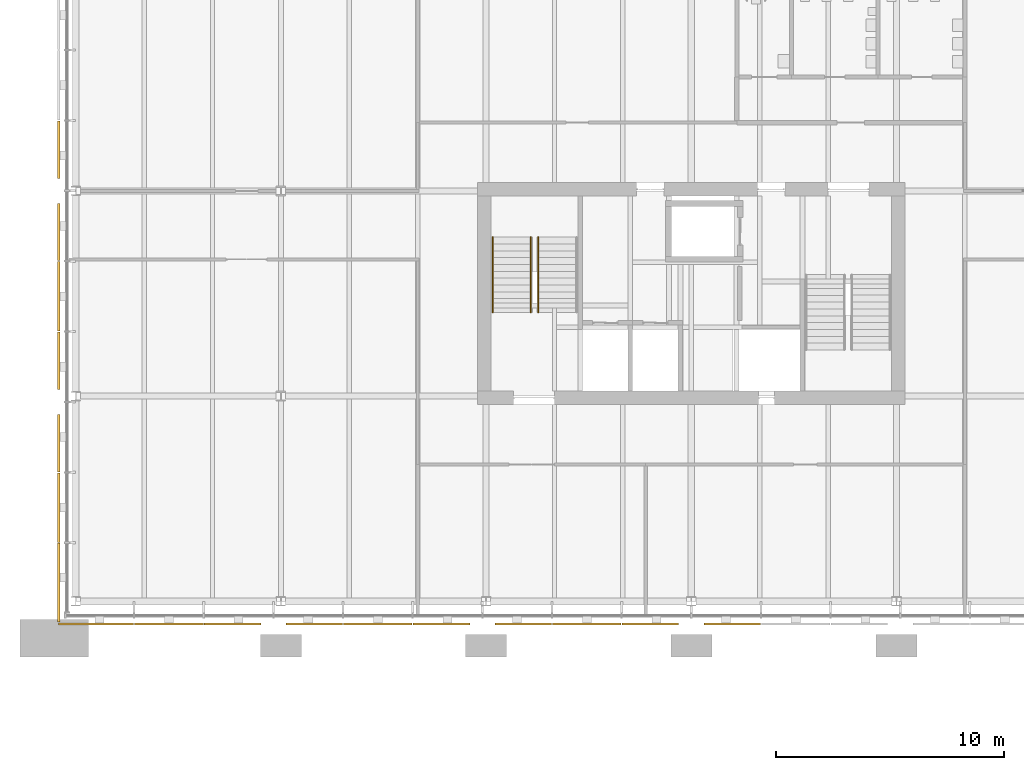
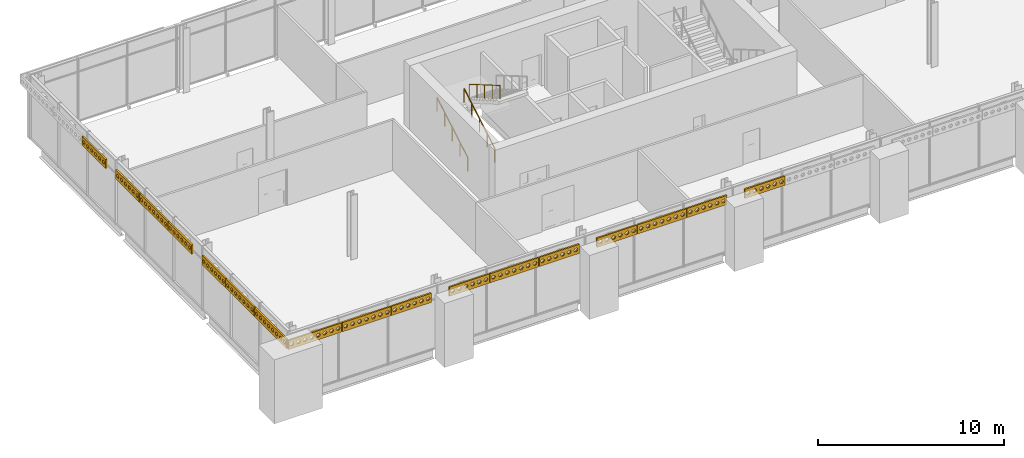
# One storey, part 102 of 123: 17 shading devices, 3 railings.
"""IFC4 building model written with IfcOpenShell, lengths in metres."""

from ifc_helpers import new_model, si_unit, direction, frame, origin, origin_2d, place, context, subcontext, project, spatial, polyline, circle, outline, extrude, material, layer, layer_set, type_object, element, save


model = new_model("IFC4")

# Units and contexts
model_context = context("Model", 3, precision=1e-05, world=origin(), true_north=direction((0.0, 1.0)))
body_context = subcontext(model_context, "Body", "Model", "MODEL_VIEW")
ifc_project = project(units=[si_unit("LENGTHUNIT", "METRE"), si_unit("AREAUNIT", "SQUARE_METRE"), si_unit("VOLUMEUNIT", "CUBIC_METRE"), si_unit("PLANEANGLEUNIT", "RADIAN"), si_unit("MASSUNIT", "GRAM", prefix="KILO")], contexts=[model_context])

# Site, building, storey
site_placement = place(None, origin())
site = spatial("IfcSite", under=ifc_project, at=site_placement, CompositionType="ELEMENT")
building_placement = place(site_placement, origin())
building = spatial("IfcBuilding", under=site, at=building_placement, Name="Baradari Gate Terminus", CompositionType="ELEMENT")
storey_placement = place(building_placement, frame((0.0, 0.0, 7.5)))
storey = spatial("IfcBuildingStorey", under=building, at=storey_placement, Name="L01", CompositionType="ELEMENT", Elevation=7.5)

# Railings
ifc_material_1 = material(Name="Stainless steel 1.4301", Category="steel")
railing_type = type_object("IfcRailingType", Name="Handrail HR-1 900", PredefinedType="HANDRAIL", material=ifc_material_1)
for number, where, name in (
    (1, (27.284912109375, 129.675048828125, 0.175048828125), "Handrail ST-T1 L01 flight 1"),
    (2, (28.965087890625, 129.675048828125, 0.175048828125), "Handrail ST-T1 L01 flight 1"),
):
    element("IfcRailing", number, at=place(storey_placement, frame(where)), inside=storey, type_object=railing_type, Name=name, PredefinedType="HANDRAIL", context=body_context, shape_type="SweptSolid", body=[
        extrude(circle(Radius=0.02392578125, at=origin_2d()), frame((0.0, 0.0, 0.8759765625), z_axis=(0.0, 0.863776583165, 0.503874998761), x_axis=(-1.0, 0.0, 0.0)), (0.0, 0.0, 1.0), 3.820556640625),
        extrude(circle(Radius=0.02099609375, at=origin_2d()), origin(), (0.0, 0.0, 1.0), 0.851806640625),
        extrude(circle(Radius=0.02099609375, at=origin_2d()), frame((0.0, 0.824951171875, 0.481201171875)), (0.0, 0.0, 1.0), 0.851806640625),
        extrude(circle(Radius=0.02099609375, at=origin_2d()), frame((0.0, 1.64990234375, 0.96240234375)), (0.0, 0.0, 1.0), 0.851806640625),
        extrude(circle(Radius=0.02099609375, at=origin_2d()), frame((0.0, 2.47509765625, 1.44384765625)), (0.0, 0.0, 1.0), 0.851806640625),
        extrude(circle(Radius=0.02099609375, at=origin_2d()), frame((0.0, 3.300048828125, 1.925048828125)), (0.0, 0.0, 1.0), 0.851806640625),
    ])
railing_placement = place(storey_placement, frame((29.284912109375, 132.97509765625, 2.27490234375)))
element("IfcRailing", 3, at=railing_placement, inside=storey, type_object=railing_type, Name="Handrail ST-T1 L01 flight 2", PredefinedType="HANDRAIL", context=body_context, shape_type="SweptSolid", body=[
    extrude(circle(Radius=0.02392578125, at=origin_2d()), frame((0.0, 0.0, 0.8759765625), z_axis=(0.0, -0.863776583165, 0.503874998761), x_axis=(1.0, 0.0, 0.0)), (0.0, 0.0, 1.0), 3.820556640625),
    extrude(circle(Radius=0.02099609375, at=origin_2d()), origin(), (0.0, 0.0, 1.0), 0.851806640625),
    extrude(circle(Radius=0.02099609375, at=origin_2d()), frame((0.0, -0.824951171875, 0.481201171875)), (0.0, 0.0, 1.0), 0.851806640625),
    extrude(circle(Radius=0.02099609375, at=origin_2d()), frame((0.0, -1.64990234375, 0.96240234375)), (0.0, 0.0, 1.0), 0.851806640625),
    extrude(circle(Radius=0.02099609375, at=origin_2d()), frame((0.0, -2.47509765625, 1.44384765625)), (0.0, 0.0, 1.0), 0.851806640625),
    extrude(circle(Radius=0.02099609375, at=origin_2d()), frame((0.0, -3.300048828125, 1.925048828125)), (0.0, 0.0, 1.0), 0.851806640625),
])

# Shading devices
ifc_material_2 = material(Name="Concrete C50/60 precast", Category="concrete")
ifc_layer = layer(ifc_material_2, 0.10009765625)
ifc_layer_set = layer_set([ifc_layer], Name="Concrete C50/60 precast")
shading_device_type = type_object("IfcShadingDeviceType", Name="Jali screen panel JS-1 100", PredefinedType="SHUTTER", material=ifc_layer_set)
shading_device_1_placement = place(storey_placement, frame((8.239990234375, 116.0048828125, 3.4326171875), z_axis=(0.0, 0.0, 1.0), x_axis=(1.0, 0.0, 0.0)))
element("IfcShadingDevice", 4, at=shading_device_1_placement, inside=storey, type_object=shading_device_type, Name="Jali screen panel JS-1 L01/TS bay 1", PredefinedType="SHUTTER", context=body_context, shape_type="SweptSolid", body=[
    extrude(outline(polyline([(0.0, 0.0), (3.300048828125, 0.0), (3.300048828125, 0.599853515625), (0.0, 0.599853515625), (0.0, 0.0)]), holes=[polyline([(0.336181640625, 0.2998046875), (0.271240234375, 0.187255859375), (0.141357421875, 0.187255859375), (0.076171875, 0.2998046875), (0.141357421875, 0.412353515625), (0.271240234375, 0.412353515625), (0.336181640625, 0.2998046875)]), polyline([(0.748779296875, 0.2998046875), (0.683837890625, 0.187255859375), (0.5537109375, 0.187255859375), (0.48876953125, 0.2998046875), (0.5537109375, 0.412353515625), (0.683837890625, 0.412353515625), (0.748779296875, 0.2998046875)]), polyline([(1.1611328125, 0.2998046875), (1.09619140625, 0.187255859375), (0.96630859375, 0.187255859375), (0.9013671875, 0.2998046875), (0.96630859375, 0.412353515625), (1.09619140625, 0.412353515625), (1.1611328125, 0.2998046875)]), polyline([(1.57373046875, 0.2998046875), (1.5087890625, 0.187255859375), (1.378662109375, 0.187255859375), (1.313720703125, 0.2998046875), (1.378662109375, 0.412353515625), (1.5087890625, 0.412353515625), (1.57373046875, 0.2998046875)]), polyline([(1.986328125, 0.2998046875), (1.921142578125, 0.187255859375), (1.791259765625, 0.187255859375), (1.726318359375, 0.2998046875), (1.791259765625, 0.412353515625), (1.921142578125, 0.412353515625), (1.986328125, 0.2998046875)]), polyline([(2.398681640625, 0.2998046875), (2.333740234375, 0.187255859375), (2.203857421875, 0.187255859375), (2.138671875, 0.2998046875), (2.203857421875, 0.412353515625), (2.333740234375, 0.412353515625), (2.398681640625, 0.2998046875)]), polyline([(2.811279296875, 0.2998046875), (2.746337890625, 0.187255859375), (2.6162109375, 0.187255859375), (2.55126953125, 0.2998046875), (2.6162109375, 0.412353515625), (2.746337890625, 0.412353515625), (2.811279296875, 0.2998046875)]), polyline([(3.2236328125, 0.2998046875), (3.15869140625, 0.187255859375), (3.02880859375, 0.187255859375), (2.9638671875, 0.2998046875), (3.02880859375, 0.412353515625), (3.15869140625, 0.412353515625), (3.2236328125, 0.2998046875)])]), frame((0.0, 0.050048828125, 0.0), z_axis=(0.0, -1.0, 0.0), x_axis=(1.0, 0.0, 0.0)), (0.0, 0.0, 1.0), 0.10009765625),
])
shading_device_2_placement = place(storey_placement, frame((11.580078125, 116.0048828125, 3.4326171875), z_axis=(0.0, 0.0, 1.0), x_axis=(1.0, 0.0, 0.0)))
element("IfcShadingDevice", 5, at=shading_device_2_placement, inside=storey, type_object=shading_device_type, Name="Jali screen panel JS-1 L01/TS bay 2", PredefinedType="SHUTTER", context=body_context, shape_type="SweptSolid", body=[
    extrude(outline(polyline([(0.0, 0.0), (3.014892578125, 0.0), (3.014892578125, 0.599853515625), (0.0, 0.599853515625), (0.0, 0.0)]), holes=[polyline([(0.345458984375, 0.2998046875), (0.2802734375, 0.187255859375), (0.150390625, 0.187255859375), (0.08544921875, 0.2998046875), (0.150390625, 0.412353515625), (0.2802734375, 0.412353515625), (0.345458984375, 0.2998046875)]), polyline([(0.776123046875, 0.2998046875), (0.711181640625, 0.187255859375), (0.5810546875, 0.187255859375), (0.51611328125, 0.2998046875), (0.5810546875, 0.412353515625), (0.711181640625, 0.412353515625), (0.776123046875, 0.2998046875)]), polyline([(1.206787109375, 0.2998046875), (1.141845703125, 0.187255859375), (1.01171875, 0.187255859375), (0.94677734375, 0.2998046875), (1.01171875, 0.412353515625), (1.141845703125, 0.412353515625), (1.206787109375, 0.2998046875)]), polyline([(1.637451171875, 0.2998046875), (1.572509765625, 0.187255859375), (1.4423828125, 0.187255859375), (1.37744140625, 0.2998046875), (1.4423828125, 0.412353515625), (1.572509765625, 0.412353515625), (1.637451171875, 0.2998046875)]), polyline([(2.068115234375, 0.2998046875), (2.003173828125, 0.187255859375), (1.873291015625, 0.187255859375), (1.80810546875, 0.2998046875), (1.873291015625, 0.412353515625), (2.003173828125, 0.412353515625), (2.068115234375, 0.2998046875)]), polyline([(2.4990234375, 0.2998046875), (2.433837890625, 0.187255859375), (2.303955078125, 0.187255859375), (2.239013671875, 0.2998046875), (2.303955078125, 0.412353515625), (2.433837890625, 0.412353515625), (2.4990234375, 0.2998046875)]), polyline([(2.9296875, 0.2998046875), (2.86474609375, 0.187255859375), (2.734619140625, 0.187255859375), (2.669677734375, 0.2998046875), (2.734619140625, 0.412353515625), (2.86474609375, 0.412353515625), (2.9296875, 0.2998046875)])]), frame((0.0, 0.050048828125, 0.0), z_axis=(0.0, -1.0, 0.0), x_axis=(1.0, 0.0, 0.0)), (0.0, 0.0, 1.0), 0.10009765625),
])
for number, where, z_axis, x_axis, name in (
    (6, (14.635009765625, 116.0048828125, 3.4326171875), (0.0, 0.0, 1.0), (1.0, 0.0, 0.0), "Jali screen panel JS-1 L01/TS bay 3"),
    (7, (18.219970703125, 116.0048828125, 3.4326171875), (0.0, 0.0, 1.0), (1.0, 0.0, 0.0), "Jali screen panel JS-1 L01/TS bay 4"),
):
    element("IfcShadingDevice", number, at=place(storey_placement, frame(where, z_axis=z_axis, x_axis=x_axis)), inside=storey, type_object=shading_device_type, Name=name, PredefinedType="SHUTTER", context=body_context, shape_type="SweptSolid", body=[
        extrude(outline(polyline([(0.0, 0.0), (2.485107421875, 0.0), (2.485107421875, 0.599853515625), (0.0, 0.599853515625), (0.0, 0.0)]), holes=[polyline([(0.337158203125, 0.2998046875), (0.27197265625, 0.187255859375), (0.14208984375, 0.187255859375), (0.0771484375, 0.2998046875), (0.14208984375, 0.412353515625), (0.27197265625, 0.412353515625), (0.337158203125, 0.2998046875)]), polyline([(0.751220703125, 0.2998046875), (0.686279296875, 0.187255859375), (0.55615234375, 0.187255859375), (0.4912109375, 0.2998046875), (0.55615234375, 0.412353515625), (0.686279296875, 0.412353515625), (0.751220703125, 0.2998046875)]), polyline([(1.16552734375, 0.2998046875), (1.100341796875, 0.187255859375), (0.970458984375, 0.187255859375), (0.905517578125, 0.2998046875), (0.970458984375, 0.412353515625), (1.100341796875, 0.412353515625), (1.16552734375, 0.2998046875)]), polyline([(1.57958984375, 0.2998046875), (1.5146484375, 0.187255859375), (1.384521484375, 0.187255859375), (1.319580078125, 0.2998046875), (1.384521484375, 0.412353515625), (1.5146484375, 0.412353515625), (1.57958984375, 0.2998046875)]), polyline([(1.99365234375, 0.2998046875), (1.9287109375, 0.187255859375), (1.798828125, 0.187255859375), (1.733642578125, 0.2998046875), (1.798828125, 0.412353515625), (1.9287109375, 0.412353515625), (1.99365234375, 0.2998046875)]), polyline([(2.407958984375, 0.2998046875), (2.343017578125, 0.187255859375), (2.212890625, 0.187255859375), (2.14794921875, 0.2998046875), (2.212890625, 0.412353515625), (2.343017578125, 0.412353515625), (2.407958984375, 0.2998046875)])]), frame((0.0, 0.050048828125, 0.0), z_axis=(0.0, -1.0, 0.0), x_axis=(1.0, 0.0, 0.0)), (0.0, 0.0, 1.0), 0.10009765625),
    ])
shading_device_3_placement = place(storey_placement, frame((20.7451171875, 116.0048828125, 3.4326171875), z_axis=(0.0, 0.0, 1.0), x_axis=(1.0, 0.0, 0.0)))
element("IfcShadingDevice", 8, at=shading_device_3_placement, inside=storey, type_object=shading_device_type, Name="Jali screen panel JS-1 L01/TS bay 5", PredefinedType="SHUTTER", context=body_context, shape_type="SweptSolid", body=[
    extrude(outline(polyline([(0.0, 0.0), (3.014892578125, 0.0), (3.014892578125, 0.599853515625), (0.0, 0.599853515625), (0.0, 0.0)]), holes=[polyline([(0.345458984375, 0.2998046875), (0.2802734375, 0.187255859375), (0.150390625, 0.187255859375), (0.08544921875, 0.2998046875), (0.150390625, 0.412353515625), (0.2802734375, 0.412353515625), (0.345458984375, 0.2998046875)]), polyline([(0.776123046875, 0.2998046875), (0.711181640625, 0.187255859375), (0.5810546875, 0.187255859375), (0.51611328125, 0.2998046875), (0.5810546875, 0.412353515625), (0.711181640625, 0.412353515625), (0.776123046875, 0.2998046875)]), polyline([(1.206787109375, 0.2998046875), (1.141845703125, 0.187255859375), (1.01171875, 0.187255859375), (0.94677734375, 0.2998046875), (1.01171875, 0.412353515625), (1.141845703125, 0.412353515625), (1.206787109375, 0.2998046875)]), polyline([(1.637451171875, 0.2998046875), (1.572509765625, 0.187255859375), (1.4423828125, 0.187255859375), (1.37744140625, 0.2998046875), (1.4423828125, 0.412353515625), (1.572509765625, 0.412353515625), (1.637451171875, 0.2998046875)]), polyline([(2.068115234375, 0.2998046875), (2.003173828125, 0.187255859375), (1.873291015625, 0.187255859375), (1.80810546875, 0.2998046875), (1.873291015625, 0.412353515625), (2.003173828125, 0.412353515625), (2.068115234375, 0.2998046875)]), polyline([(2.4990234375, 0.2998046875), (2.433837890625, 0.187255859375), (2.303955078125, 0.187255859375), (2.239013671875, 0.2998046875), (2.303955078125, 0.412353515625), (2.433837890625, 0.412353515625), (2.4990234375, 0.2998046875)]), polyline([(2.9296875, 0.2998046875), (2.86474609375, 0.187255859375), (2.734619140625, 0.187255859375), (2.669677734375, 0.2998046875), (2.734619140625, 0.412353515625), (2.86474609375, 0.412353515625), (2.9296875, 0.2998046875)])]), frame((0.0, 0.050048828125, 0.0), z_axis=(0.0, -1.0, 0.0), x_axis=(1.0, 0.0, 0.0)), (0.0, 0.0, 1.0), 0.10009765625),
])
shading_device_4_placement = place(storey_placement, frame((23.800048828125, 116.0048828125, 3.4326171875), z_axis=(0.0, 0.0, 1.0), x_axis=(1.0, 0.0, 0.0)))
element("IfcShadingDevice", 9, at=shading_device_4_placement, inside=storey, type_object=shading_device_type, Name="Jali screen panel JS-1 L01/TS bay 6", PredefinedType="SHUTTER", context=body_context, shape_type="SweptSolid", body=[
    extrude(outline(polyline([(0.0, 0.0), (2.48486328125, 0.0), (2.48486328125, 0.599853515625), (0.0, 0.599853515625), (0.0, 0.0)]), holes=[polyline([(0.337158203125, 0.2998046875), (0.27197265625, 0.187255859375), (0.14208984375, 0.187255859375), (0.0771484375, 0.2998046875), (0.14208984375, 0.412353515625), (0.27197265625, 0.412353515625), (0.337158203125, 0.2998046875)]), polyline([(0.751220703125, 0.2998046875), (0.686279296875, 0.187255859375), (0.55615234375, 0.187255859375), (0.4912109375, 0.2998046875), (0.55615234375, 0.412353515625), (0.686279296875, 0.412353515625), (0.751220703125, 0.2998046875)]), polyline([(1.16552734375, 0.2998046875), (1.100341796875, 0.187255859375), (0.970458984375, 0.187255859375), (0.905517578125, 0.2998046875), (0.970458984375, 0.412353515625), (1.100341796875, 0.412353515625), (1.16552734375, 0.2998046875)]), polyline([(1.57958984375, 0.2998046875), (1.5146484375, 0.187255859375), (1.384521484375, 0.187255859375), (1.319580078125, 0.2998046875), (1.384521484375, 0.412353515625), (1.5146484375, 0.412353515625), (1.57958984375, 0.2998046875)]), polyline([(1.99365234375, 0.2998046875), (1.9287109375, 0.187255859375), (1.798828125, 0.187255859375), (1.733642578125, 0.2998046875), (1.798828125, 0.412353515625), (1.9287109375, 0.412353515625), (1.99365234375, 0.2998046875)]), polyline([(2.407958984375, 0.2998046875), (2.343017578125, 0.187255859375), (2.212890625, 0.187255859375), (2.14794921875, 0.2998046875), (2.212890625, 0.412353515625), (2.343017578125, 0.412353515625), (2.407958984375, 0.2998046875)])]), frame((0.0, 0.050048828125, 0.0), z_axis=(0.0, -1.0, 0.0), x_axis=(1.0, 0.0, 0.0)), (0.0, 0.0, 1.0), 0.10009765625),
])
shading_device_5_placement = place(storey_placement, frame((27.385009765625, 116.0048828125, 3.4326171875), z_axis=(0.0, 0.0, 1.0), x_axis=(1.0, 0.0, 0.0)))
element("IfcShadingDevice", 10, at=shading_device_5_placement, inside=storey, type_object=shading_device_type, Name="Jali screen panel JS-1 L01/TS bay 7", PredefinedType="SHUTTER", context=body_context, shape_type="SweptSolid", body=[
    extrude(outline(polyline([(0.0, 0.0), (2.485107421875, 0.0), (2.485107421875, 0.599853515625), (0.0, 0.599853515625), (0.0, 0.0)]), holes=[polyline([(0.337158203125, 0.2998046875), (0.27197265625, 0.187255859375), (0.14208984375, 0.187255859375), (0.0771484375, 0.2998046875), (0.14208984375, 0.412353515625), (0.27197265625, 0.412353515625), (0.337158203125, 0.2998046875)]), polyline([(0.751220703125, 0.2998046875), (0.686279296875, 0.187255859375), (0.55615234375, 0.187255859375), (0.4912109375, 0.2998046875), (0.55615234375, 0.412353515625), (0.686279296875, 0.412353515625), (0.751220703125, 0.2998046875)]), polyline([(1.16552734375, 0.2998046875), (1.100341796875, 0.187255859375), (0.970458984375, 0.187255859375), (0.905517578125, 0.2998046875), (0.970458984375, 0.412353515625), (1.100341796875, 0.412353515625), (1.16552734375, 0.2998046875)]), polyline([(1.57958984375, 0.2998046875), (1.5146484375, 0.187255859375), (1.384521484375, 0.187255859375), (1.319580078125, 0.2998046875), (1.384521484375, 0.412353515625), (1.5146484375, 0.412353515625), (1.57958984375, 0.2998046875)]), polyline([(1.99365234375, 0.2998046875), (1.9287109375, 0.187255859375), (1.798828125, 0.187255859375), (1.733642578125, 0.2998046875), (1.798828125, 0.412353515625), (1.9287109375, 0.412353515625), (1.99365234375, 0.2998046875)]), polyline([(2.407958984375, 0.2998046875), (2.343017578125, 0.187255859375), (2.212890625, 0.187255859375), (2.14794921875, 0.2998046875), (2.212890625, 0.412353515625), (2.343017578125, 0.412353515625), (2.407958984375, 0.2998046875)])]), frame((0.0, 0.050048828125, 0.0), z_axis=(0.0, -1.0, 0.0), x_axis=(1.0, 0.0, 0.0)), (0.0, 0.0, 1.0), 0.10009765625),
])
shading_device_6_placement = place(storey_placement, frame((29.909912109375, 116.0048828125, 3.4326171875), z_axis=(0.0, 0.0, 1.0), x_axis=(1.0, 0.0, 0.0)))
element("IfcShadingDevice", 11, at=shading_device_6_placement, inside=storey, type_object=shading_device_type, Name="Jali screen panel JS-1 L01/TS bay 8", PredefinedType="SHUTTER", context=body_context, shape_type="SweptSolid", body=[
    extrude(outline(polyline([(0.0, 0.0), (3.01513671875, 0.0), (3.01513671875, 0.599853515625), (0.0, 0.599853515625), (0.0, 0.0)]), holes=[polyline([(0.345458984375, 0.2998046875), (0.2802734375, 0.187255859375), (0.150390625, 0.187255859375), (0.08544921875, 0.2998046875), (0.150390625, 0.412353515625), (0.2802734375, 0.412353515625), (0.345458984375, 0.2998046875)]), polyline([(0.776123046875, 0.2998046875), (0.711181640625, 0.187255859375), (0.5810546875, 0.187255859375), (0.51611328125, 0.2998046875), (0.5810546875, 0.412353515625), (0.711181640625, 0.412353515625), (0.776123046875, 0.2998046875)]), polyline([(1.206787109375, 0.2998046875), (1.141845703125, 0.187255859375), (1.01171875, 0.187255859375), (0.94677734375, 0.2998046875), (1.01171875, 0.412353515625), (1.141845703125, 0.412353515625), (1.206787109375, 0.2998046875)]), polyline([(1.637451171875, 0.2998046875), (1.572509765625, 0.187255859375), (1.4423828125, 0.187255859375), (1.37744140625, 0.2998046875), (1.4423828125, 0.412353515625), (1.572509765625, 0.412353515625), (1.637451171875, 0.2998046875)]), polyline([(2.068115234375, 0.2998046875), (2.003173828125, 0.187255859375), (1.873291015625, 0.187255859375), (1.80810546875, 0.2998046875), (1.873291015625, 0.412353515625), (2.003173828125, 0.412353515625), (2.068115234375, 0.2998046875)]), polyline([(2.4990234375, 0.2998046875), (2.433837890625, 0.187255859375), (2.303955078125, 0.187255859375), (2.239013671875, 0.2998046875), (2.303955078125, 0.412353515625), (2.433837890625, 0.412353515625), (2.4990234375, 0.2998046875)]), polyline([(2.9296875, 0.2998046875), (2.86474609375, 0.187255859375), (2.734619140625, 0.187255859375), (2.669677734375, 0.2998046875), (2.734619140625, 0.412353515625), (2.86474609375, 0.412353515625), (2.9296875, 0.2998046875)])]), frame((0.0, 0.050048828125, 0.0), z_axis=(0.0, -1.0, 0.0), x_axis=(1.0, 0.0, 0.0)), (0.0, 0.0, 1.0), 0.10009765625),
])
for number, where, z_axis, x_axis, name in (
    (12, (32.965087890625, 116.0048828125, 3.4326171875), (0.0, 0.0, 1.0), (1.0, 0.0, 0.0), "Jali screen panel JS-1 L01/TS bay 9"),
    (13, (36.550048828125, 116.0048828125, 3.4326171875), (0.0, 0.0, 1.0), (1.0, 0.0, 0.0), "Jali screen panel JS-1 L01/TS bay 10"),
):
    element("IfcShadingDevice", number, at=place(storey_placement, frame(where, z_axis=z_axis, x_axis=x_axis)), inside=storey, type_object=shading_device_type, Name=name, PredefinedType="SHUTTER", context=body_context, shape_type="SweptSolid", body=[
        extrude(outline(polyline([(0.0, 0.0), (2.48486328125, 0.0), (2.48486328125, 0.599853515625), (0.0, 0.599853515625), (0.0, 0.0)]), holes=[polyline([(0.337158203125, 0.2998046875), (0.27197265625, 0.187255859375), (0.14208984375, 0.187255859375), (0.0771484375, 0.2998046875), (0.14208984375, 0.412353515625), (0.27197265625, 0.412353515625), (0.337158203125, 0.2998046875)]), polyline([(0.751220703125, 0.2998046875), (0.686279296875, 0.187255859375), (0.55615234375, 0.187255859375), (0.4912109375, 0.2998046875), (0.55615234375, 0.412353515625), (0.686279296875, 0.412353515625), (0.751220703125, 0.2998046875)]), polyline([(1.16552734375, 0.2998046875), (1.100341796875, 0.187255859375), (0.970458984375, 0.187255859375), (0.905517578125, 0.2998046875), (0.970458984375, 0.412353515625), (1.100341796875, 0.412353515625), (1.16552734375, 0.2998046875)]), polyline([(1.57958984375, 0.2998046875), (1.5146484375, 0.187255859375), (1.384521484375, 0.187255859375), (1.319580078125, 0.2998046875), (1.384521484375, 0.412353515625), (1.5146484375, 0.412353515625), (1.57958984375, 0.2998046875)]), polyline([(1.99365234375, 0.2998046875), (1.9287109375, 0.187255859375), (1.798828125, 0.187255859375), (1.733642578125, 0.2998046875), (1.798828125, 0.412353515625), (1.9287109375, 0.412353515625), (1.99365234375, 0.2998046875)]), polyline([(2.407958984375, 0.2998046875), (2.343017578125, 0.187255859375), (2.212890625, 0.187255859375), (2.14794921875, 0.2998046875), (2.212890625, 0.412353515625), (2.343017578125, 0.412353515625), (2.407958984375, 0.2998046875)])]), frame((0.0, 0.050048828125, 0.0), z_axis=(0.0, -1.0, 0.0), x_axis=(1.0, 0.0, 0.0)), (0.0, 0.0, 1.0), 0.10009765625),
    ])
shading_device_7_placement = place(storey_placement, frame((8.2548828125, 116.090087890625, 3.4326171875), z_axis=(0.0, 0.0, 1.0), x_axis=(0.0, 1.0, 0.0)))
element("IfcShadingDevice", 14, at=shading_device_7_placement, inside=storey, type_object=shading_device_type, Name="Jali screen panel JS-1 L01/TW bay 1", PredefinedType="SHUTTER", context=body_context, shape_type="SweptSolid", body=[
    extrude(outline(polyline([(0.0, 0.0), (3.457763671875, 0.0), (3.457763671875, 0.599853515625), (0.0, 0.599853515625), (0.0, 0.0)]), holes=[polyline([(0.34619140625, 0.2998046875), (0.281005859375, 0.187255859375), (0.151123046875, 0.187255859375), (0.086181640625, 0.2998046875), (0.151123046875, 0.412353515625), (0.281005859375, 0.412353515625), (0.34619140625, 0.2998046875)]), polyline([(0.7783203125, 0.2998046875), (0.71337890625, 0.187255859375), (0.583251953125, 0.187255859375), (0.518310546875, 0.2998046875), (0.583251953125, 0.412353515625), (0.71337890625, 0.412353515625), (0.7783203125, 0.2998046875)]), polyline([(1.21044921875, 0.2998046875), (1.1455078125, 0.187255859375), (1.015625, 0.187255859375), (0.950439453125, 0.2998046875), (1.015625, 0.412353515625), (1.1455078125, 0.412353515625), (1.21044921875, 0.2998046875)]), polyline([(1.642822265625, 0.2998046875), (1.577880859375, 0.187255859375), (1.44775390625, 0.187255859375), (1.3828125, 0.2998046875), (1.44775390625, 0.412353515625), (1.577880859375, 0.412353515625), (1.642822265625, 0.2998046875)]), polyline([(2.074951171875, 0.2998046875), (2.010009765625, 0.187255859375), (1.8798828125, 0.187255859375), (1.81494140625, 0.2998046875), (1.8798828125, 0.412353515625), (2.010009765625, 0.412353515625), (2.074951171875, 0.2998046875)]), polyline([(2.50732421875, 0.2998046875), (2.442138671875, 0.187255859375), (2.312255859375, 0.187255859375), (2.247314453125, 0.2998046875), (2.312255859375, 0.412353515625), (2.442138671875, 0.412353515625), (2.50732421875, 0.2998046875)]), polyline([(2.939453125, 0.2998046875), (2.87451171875, 0.187255859375), (2.744384765625, 0.187255859375), (2.679443359375, 0.2998046875), (2.744384765625, 0.412353515625), (2.87451171875, 0.412353515625), (2.939453125, 0.2998046875)]), polyline([(3.37158203125, 0.2998046875), (3.306640625, 0.187255859375), (3.1767578125, 0.187255859375), (3.111572265625, 0.2998046875), (3.1767578125, 0.412353515625), (3.306640625, 0.412353515625), (3.37158203125, 0.2998046875)])]), frame((0.0, 0.050048828125, 0.0), z_axis=(0.0, -1.0, 0.0), x_axis=(1.0, 0.0, 0.0)), (0.0, 0.0, 1.0), 0.10009765625),
])
shading_device_8_placement = place(storey_placement, frame((8.2548828125, 119.587890625, 3.4326171875), z_axis=(0.0, 0.0, 1.0), x_axis=(0.0, 1.0, 0.0)))
element("IfcShadingDevice", 15, at=shading_device_8_placement, inside=storey, type_object=shading_device_type, Name="Jali screen panel JS-1 L01/TW bay 2", PredefinedType="SHUTTER", context=body_context, shape_type="SweptSolid", body=[
    extrude(outline(polyline([(0.0, 0.0), (3.047607421875, 0.0), (3.047607421875, 0.599853515625), (0.0, 0.599853515625), (0.0, 0.0)]), holes=[polyline([(0.34765625, 0.2998046875), (0.28271484375, 0.187255859375), (0.152587890625, 0.187255859375), (0.087646484375, 0.2998046875), (0.152587890625, 0.412353515625), (0.28271484375, 0.412353515625), (0.34765625, 0.2998046875)]), polyline([(0.783203125, 0.2998046875), (0.718017578125, 0.187255859375), (0.588134765625, 0.187255859375), (0.523193359375, 0.2998046875), (0.588134765625, 0.412353515625), (0.718017578125, 0.412353515625), (0.783203125, 0.2998046875)]), polyline([(1.218505859375, 0.2998046875), (1.153564453125, 0.187255859375), (1.0234375, 0.187255859375), (0.95849609375, 0.2998046875), (1.0234375, 0.412353515625), (1.153564453125, 0.412353515625), (1.218505859375, 0.2998046875)]), polyline([(1.65380859375, 0.2998046875), (1.5888671875, 0.187255859375), (1.458984375, 0.187255859375), (1.393798828125, 0.2998046875), (1.458984375, 0.412353515625), (1.5888671875, 0.412353515625), (1.65380859375, 0.2998046875)]), polyline([(2.08935546875, 0.2998046875), (2.024169921875, 0.187255859375), (1.894287109375, 0.187255859375), (1.829345703125, 0.2998046875), (1.894287109375, 0.412353515625), (2.024169921875, 0.412353515625), (2.08935546875, 0.2998046875)]), polyline([(2.524658203125, 0.2998046875), (2.459716796875, 0.187255859375), (2.32958984375, 0.187255859375), (2.2646484375, 0.2998046875), (2.32958984375, 0.412353515625), (2.459716796875, 0.412353515625), (2.524658203125, 0.2998046875)]), polyline([(2.9599609375, 0.2998046875), (2.89501953125, 0.187255859375), (2.76513671875, 0.187255859375), (2.7001953125, 0.2998046875), (2.76513671875, 0.412353515625), (2.89501953125, 0.412353515625), (2.9599609375, 0.2998046875)])]), frame((0.0, 0.050048828125, 0.0), z_axis=(0.0, -1.0, 0.0), x_axis=(1.0, 0.0, 0.0)), (0.0, 0.0, 1.0), 0.10009765625),
])
for number, where, z_axis, x_axis, name in (
    (16, (8.2548828125, 122.675537109375, 3.4326171875), (0.0, 0.0, 1.0), (0.0, 1.0, 0.0), "Jali screen panel JS-1 L01/TW bay 3"),
    (17, (8.2548828125, 126.293212890625, 3.4326171875), (0.0, 0.0, 1.0), (0.0, 1.0, 0.0), "Jali screen panel JS-1 L01/TW bay 4"),
):
    element("IfcShadingDevice", number, at=place(storey_placement, frame(where, z_axis=z_axis, x_axis=x_axis)), inside=storey, type_object=shading_device_type, Name=name, PredefinedType="SHUTTER", context=body_context, shape_type="SweptSolid", body=[
        extrude(outline(polyline([(0.0, 0.0), (2.517822265625, 0.0), (2.517822265625, 0.599853515625), (0.0, 0.599853515625), (0.0, 0.0)]), holes=[polyline([(0.33984375, 0.2998046875), (0.27490234375, 0.187255859375), (0.144775390625, 0.187255859375), (0.079833984375, 0.2998046875), (0.144775390625, 0.412353515625), (0.27490234375, 0.412353515625), (0.33984375, 0.2998046875)]), polyline([(0.759521484375, 0.2998046875), (0.6943359375, 0.187255859375), (0.564453125, 0.187255859375), (0.49951171875, 0.2998046875), (0.564453125, 0.412353515625), (0.6943359375, 0.412353515625), (0.759521484375, 0.2998046875)]), polyline([(1.178955078125, 0.2998046875), (1.114013671875, 0.187255859375), (0.984130859375, 0.187255859375), (0.919189453125, 0.2998046875), (0.984130859375, 0.412353515625), (1.114013671875, 0.412353515625), (1.178955078125, 0.2998046875)]), polyline([(1.5986328125, 0.2998046875), (1.53369140625, 0.187255859375), (1.40380859375, 0.187255859375), (1.338623046875, 0.2998046875), (1.40380859375, 0.412353515625), (1.53369140625, 0.412353515625), (1.5986328125, 0.2998046875)]), polyline([(2.018310546875, 0.2998046875), (1.953369140625, 0.187255859375), (1.8232421875, 0.187255859375), (1.75830078125, 0.2998046875), (1.8232421875, 0.412353515625), (1.953369140625, 0.412353515625), (2.018310546875, 0.2998046875)]), polyline([(2.43798828125, 0.2998046875), (2.373046875, 0.187255859375), (2.242919921875, 0.187255859375), (2.177978515625, 0.2998046875), (2.242919921875, 0.412353515625), (2.373046875, 0.412353515625), (2.43798828125, 0.2998046875)])]), frame((0.0, 0.050048828125, 0.0), z_axis=(0.0, -1.0, 0.0), x_axis=(1.0, 0.0, 0.0)), (0.0, 0.0, 1.0), 0.10009765625),
    ])
shading_device_9_placement = place(storey_placement, frame((8.2548828125, 128.85107421875, 3.4326171875), z_axis=(0.0, 0.0, 1.0), x_axis=(0.0, 1.0, 0.0)))
element("IfcShadingDevice", 18, at=shading_device_9_placement, inside=storey, type_object=shading_device_type, Name="Jali screen panel JS-1 L01/TW bay 5", PredefinedType="SHUTTER", context=body_context, shape_type="SweptSolid", body=[
    extrude(outline(polyline([(0.0, 0.0), (3.0478515625, 0.0), (3.0478515625, 0.599853515625), (0.0, 0.599853515625), (0.0, 0.0)]), holes=[polyline([(0.34765625, 0.2998046875), (0.28271484375, 0.187255859375), (0.152587890625, 0.187255859375), (0.087646484375, 0.2998046875), (0.152587890625, 0.412353515625), (0.28271484375, 0.412353515625), (0.34765625, 0.2998046875)]), polyline([(0.783203125, 0.2998046875), (0.718017578125, 0.187255859375), (0.588134765625, 0.187255859375), (0.523193359375, 0.2998046875), (0.588134765625, 0.412353515625), (0.718017578125, 0.412353515625), (0.783203125, 0.2998046875)]), polyline([(1.218505859375, 0.2998046875), (1.153564453125, 0.187255859375), (1.0234375, 0.187255859375), (0.95849609375, 0.2998046875), (1.0234375, 0.412353515625), (1.153564453125, 0.412353515625), (1.218505859375, 0.2998046875)]), polyline([(1.65380859375, 0.2998046875), (1.5888671875, 0.187255859375), (1.458984375, 0.187255859375), (1.393798828125, 0.2998046875), (1.458984375, 0.412353515625), (1.5888671875, 0.412353515625), (1.65380859375, 0.2998046875)]), polyline([(2.08935546875, 0.2998046875), (2.024169921875, 0.187255859375), (1.894287109375, 0.187255859375), (1.829345703125, 0.2998046875), (1.894287109375, 0.412353515625), (2.024169921875, 0.412353515625), (2.08935546875, 0.2998046875)]), polyline([(2.524658203125, 0.2998046875), (2.459716796875, 0.187255859375), (2.32958984375, 0.187255859375), (2.2646484375, 0.2998046875), (2.32958984375, 0.412353515625), (2.459716796875, 0.412353515625), (2.524658203125, 0.2998046875)]), polyline([(2.9599609375, 0.2998046875), (2.89501953125, 0.187255859375), (2.76513671875, 0.187255859375), (2.7001953125, 0.2998046875), (2.76513671875, 0.412353515625), (2.89501953125, 0.412353515625), (2.9599609375, 0.2998046875)])]), frame((0.0, 0.050048828125, 0.0), z_axis=(0.0, -1.0, 0.0), x_axis=(1.0, 0.0, 0.0)), (0.0, 0.0, 1.0), 0.10009765625),
])
for number, where, z_axis, x_axis, name in (
    (19, (8.2548828125, 131.93896484375, 3.4326171875), (0.0, 0.0, 1.0), (0.0, 1.0, 0.0), "Jali screen panel JS-1 L01/TW bay 6"),
    (20, (8.2548828125, 135.556640625, 3.4326171875), (0.0, 0.0, 1.0), (0.0, 1.0, 0.0), "Jali screen panel JS-1 L01/TW bay 7"),
):
    element("IfcShadingDevice", number, at=place(storey_placement, frame(where, z_axis=z_axis, x_axis=x_axis)), inside=storey, type_object=shading_device_type, Name=name, PredefinedType="SHUTTER", context=body_context, shape_type="SweptSolid", body=[
        extrude(outline(polyline([(0.0, 0.0), (2.517822265625, 0.0), (2.517822265625, 0.599853515625), (0.0, 0.599853515625), (0.0, 0.0)]), holes=[polyline([(0.33984375, 0.2998046875), (0.27490234375, 0.187255859375), (0.144775390625, 0.187255859375), (0.079833984375, 0.2998046875), (0.144775390625, 0.412353515625), (0.27490234375, 0.412353515625), (0.33984375, 0.2998046875)]), polyline([(0.759521484375, 0.2998046875), (0.6943359375, 0.187255859375), (0.564453125, 0.187255859375), (0.49951171875, 0.2998046875), (0.564453125, 0.412353515625), (0.6943359375, 0.412353515625), (0.759521484375, 0.2998046875)]), polyline([(1.178955078125, 0.2998046875), (1.114013671875, 0.187255859375), (0.984130859375, 0.187255859375), (0.919189453125, 0.2998046875), (0.984130859375, 0.412353515625), (1.114013671875, 0.412353515625), (1.178955078125, 0.2998046875)]), polyline([(1.5986328125, 0.2998046875), (1.53369140625, 0.187255859375), (1.40380859375, 0.187255859375), (1.338623046875, 0.2998046875), (1.40380859375, 0.412353515625), (1.53369140625, 0.412353515625), (1.5986328125, 0.2998046875)]), polyline([(2.018310546875, 0.2998046875), (1.953369140625, 0.187255859375), (1.8232421875, 0.187255859375), (1.75830078125, 0.2998046875), (1.8232421875, 0.412353515625), (1.953369140625, 0.412353515625), (2.018310546875, 0.2998046875)]), polyline([(2.43798828125, 0.2998046875), (2.373046875, 0.187255859375), (2.242919921875, 0.187255859375), (2.177978515625, 0.2998046875), (2.242919921875, 0.412353515625), (2.373046875, 0.412353515625), (2.43798828125, 0.2998046875)])]), frame((0.0, 0.050048828125, 0.0), z_axis=(0.0, -1.0, 0.0), x_axis=(1.0, 0.0, 0.0)), (0.0, 0.0, 1.0), 0.10009765625),
    ])

save(model, "model.ifc")
